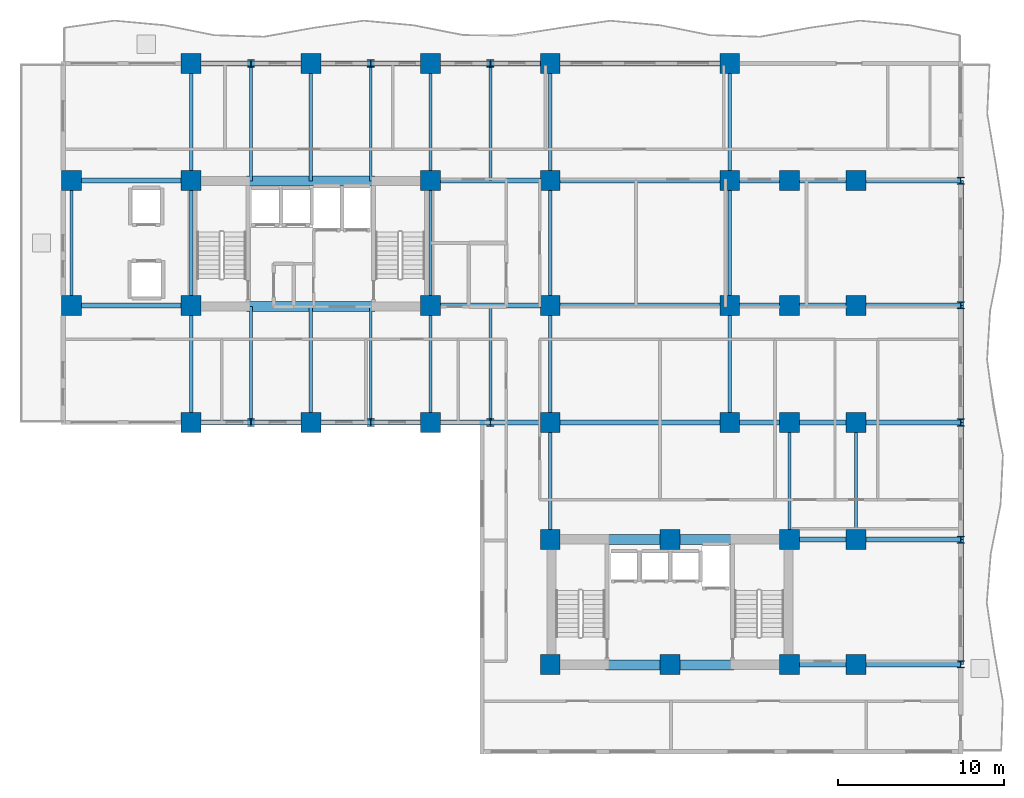
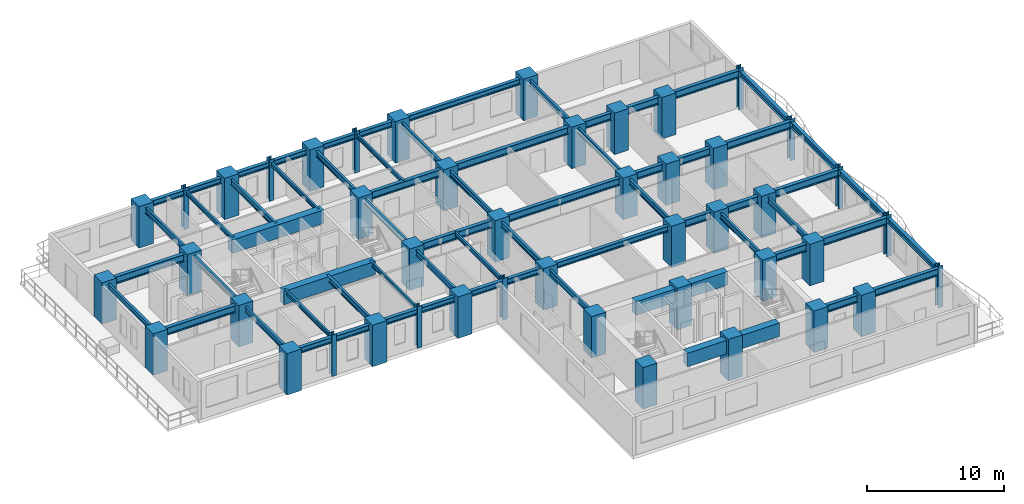
# One storey, part 1 of 11: 65 beams, 45 columns.
"""IFC4 building model written with IfcOpenShell, lengths in metres."""

from ifc_helpers import new_model, si_unit, direction, frame, origin, origin_2d, place, context, subcontext, project, spatial, rectangle, i_section, extrude, source, transform, mapped, material, material_profile, profile_set, type_object, element, save


model = new_model("IFC4")

# Units and contexts
model_context = context("Model", 3, precision=1e-05, world=origin(), true_north=direction((0.0, 1.0)))
body_context = subcontext(model_context, "Body", "Model", "MODEL_VIEW")
ifc_project = project(units=[si_unit("LENGTHUNIT", "METRE"), si_unit("AREAUNIT", "SQUARE_METRE"), si_unit("VOLUMEUNIT", "CUBIC_METRE"), si_unit("PLANEANGLEUNIT", "RADIAN"), si_unit("MASSUNIT", "GRAM", prefix="KILO")], contexts=[model_context])

# Site, building, storey
site_placement = place(None, origin())
site = spatial("IfcSite", under=ifc_project, at=site_placement, CompositionType="ELEMENT")
building_placement = place(site_placement, origin())
building = spatial("IfcBuilding", under=site, at=building_placement, Name="Kaliganga Portal Commons", CompositionType="ELEMENT")
storey_placement = place(building_placement, frame((0.0, 0.0, 78.60009765625)))
storey = spatial("IfcBuildingStorey", under=building, at=storey_placement, Name="L19", CompositionType="ELEMENT", Elevation=78.60009765625)

# Columns
ifc_material_1 = material(Name="Concrete C60/75", Category="concrete")
ifc_material_profile_1 = material_profile(ifc_material_1, rectangle(XDim=1.199951171875, YDim=1.199951171875, at=origin_2d()), Name="RC 1200x1200")
ifc_profile_set_1 = profile_set([ifc_material_profile_1], Name="Concrete C60/75")
column_type_1 = type_object("IfcColumnType", Name="COL-MEGA-Z2", PredefinedType="COLUMN", material=ifc_profile_set_1)
shared_shape_1 = source(origin(), body_context, "Body", "SweptSolid", [
    extrude(rectangle(XDim=1.199951171875, YDim=1.199951171875, at=origin_2d()), origin(), (0.0, 0.0, 1.0), 3.699951171875),
])
for number, where, z_axis, x_axis, name in (
    (1, (7.199951171875, 28.64990234375, 0.0), (0.0, 0.0, 1.0), (1.0, 0.0, 0.0), "Column MC-03 L19"),
    (2, (7.199951171875, 36.14990234375, 0.0), (0.0, 0.0, 1.0), (1.0, 0.0, 0.0), "Column MC-03 L19"),
    (3, (14.39990234375, 21.60009765625, 0.0), (0.0, 0.0, 1.0), (1.0, 0.0, 0.0), "Column MC-03 L19"),
    (4, (14.39990234375, 28.64990234375, 0.0), (0.0, 0.0, 1.0), (1.0, 0.0, 0.0), "Column MC-03 L19"),
    (5, (14.39990234375, 36.14990234375, 0.0), (0.0, 0.0, 1.0), (1.0, 0.0, 0.0), "Column MC-03 L19"),
    (6, (14.39990234375, 43.199951171875, 0.0), (0.0, 0.0, 1.0), (1.0, 0.0, 0.0), "Column MC-03 L19"),
    (7, (21.60009765625, 21.60009765625, 0.0), (0.0, 0.0, 1.0), (1.0, 0.0, 0.0), "Column MC-03 L19"),
    (8, (21.60009765625, 43.199951171875, 0.0), (0.0, 0.0, 1.0), (1.0, 0.0, 0.0), "Column MC-03 L19"),
    (9, (28.800048828125, 21.60009765625, 0.0), (0.0, 0.0, 1.0), (1.0, 0.0, 0.0), "Column MC-03 L19"),
    (10, (28.800048828125, 28.64990234375, 0.0), (0.0, 0.0, 1.0), (1.0, 0.0, 0.0), "Column MC-03 L19"),
    (11, (28.800048828125, 36.14990234375, 0.0), (0.0, 0.0, 1.0), (1.0, 0.0, 0.0), "Column MC-03 L19"),
    (12, (28.800048828125, 43.199951171875, 0.0), (0.0, 0.0, 1.0), (1.0, 0.0, 0.0), "Column MC-03 L19"),
    (13, (36.0, 21.60009765625, 0.0), (0.0, 0.0, 1.0), (1.0, 0.0, 0.0), "Column MC-03 L19"),
    (14, (36.0, 43.199951171875, 0.0), (0.0, 0.0, 1.0), (1.0, 0.0, 0.0), "Column MC-03 L19"),
    (15, (36.0, 28.64990234375, 0.0), (0.0, 0.0, 1.0), (1.0, 0.0, 0.0), "Column MC-03 L19"),
    (16, (36.0, 36.14990234375, 0.0), (0.0, 0.0, 1.0), (1.0, 0.0, 0.0), "Column MC-03 L19"),
    (17, (46.800048828125, 21.60009765625, 0.0), (0.0, 0.0, 1.0), (1.0, 0.0, 0.0), "Column MC-03 L19"),
    (18, (46.800048828125, 28.64990234375, 0.0), (0.0, 0.0, 1.0), (1.0, 0.0, 0.0), "Column MC-03 L19"),
    (19, (46.800048828125, 36.14990234375, 0.0), (0.0, 0.0, 1.0), (1.0, 0.0, 0.0), "Column MC-03 L19"),
    (20, (46.800048828125, 43.199951171875, 0.0), (0.0, 0.0, 1.0), (1.0, 0.0, 0.0), "Column MC-03 L19"),
    (21, (36.0, 7.050048828125, 0.0), (0.0, 0.0, 1.0), (1.0, 0.0, 0.0), "Column MC-03 L19"),
    (22, (36.0, 14.550048828125, 0.0), (0.0, 0.0, 1.0), (1.0, 0.0, 0.0), "Column MC-03 L19"),
    (23, (43.199951171875, 7.050048828125, 0.0), (0.0, 0.0, 1.0), (1.0, 0.0, 0.0), "Column MC-03 L19"),
    (24, (43.199951171875, 14.550048828125, 0.0), (0.0, 0.0, 1.0), (1.0, 0.0, 0.0), "Column MC-03 L19"),
    (25, (50.39990234375, 7.050048828125, 0.0), (0.0, 0.0, 1.0), (1.0, 0.0, 0.0), "Column MC-03 L19"),
    (26, (50.39990234375, 14.550048828125, 0.0), (0.0, 0.0, 1.0), (1.0, 0.0, 0.0), "Column MC-03 L19"),
    (27, (50.39990234375, 21.60009765625, 0.0), (0.0, 0.0, 1.0), (1.0, 0.0, 0.0), "Column MC-03 L19"),
    (28, (50.39990234375, 28.64990234375, 0.0), (0.0, 0.0, 1.0), (1.0, 0.0, 0.0), "Column MC-03 L19"),
    (29, (50.39990234375, 36.14990234375, 0.0), (0.0, 0.0, 1.0), (1.0, 0.0, 0.0), "Column MC-03 L19"),
    (30, (54.39990234375, 7.050048828125, 0.0), (0.0, 0.0, 1.0), (1.0, 0.0, 0.0), "Column MC-03 L19"),
    (31, (54.39990234375, 14.550048828125, 0.0), (0.0, 0.0, 1.0), (1.0, 0.0, 0.0), "Column MC-03 L19"),
    (32, (54.39990234375, 21.60009765625, 0.0), (0.0, 0.0, 1.0), (1.0, 0.0, 0.0), "Column MC-03 L19"),
    (33, (54.39990234375, 28.64990234375, 0.0), (0.0, 0.0, 1.0), (1.0, 0.0, 0.0), "Column MC-03 L19"),
    (34, (54.39990234375, 36.14990234375, 0.0), (0.0, 0.0, 1.0), (1.0, 0.0, 0.0), "Column MC-03 L19"),
):
    element("IfcColumn", number, at=place(storey_placement, frame(where, z_axis=z_axis, x_axis=x_axis)), inside=storey, type_object=column_type_1, Name=name, PredefinedType="COLUMN", context=body_context, shape_type="MappedRepresentation", body=[
        mapped(shared_shape_1, transform((0.0, 0.0, 0.0), x_axis=(1.0, 0.0, 0.0), y_axis=(0.0, 1.0, 0.0), z_axis=(0.0, 0.0, 1.0), scale=1.0)),
    ])
ifc_material_2 = material(Name="Structural steel S460M", Category="steel")
ifc_material_profile_2 = material_profile(ifc_material_2, i_section(OverallWidth=0.408935546875, OverallDepth=0.429931640625, WebThickness=0.0244140625, FlangeThickness=0.033447265625, FilletRadius=0.014892578125, at=origin_2d()), Name="HD 400x421")
ifc_profile_set_2 = profile_set([ifc_material_profile_2], Name="Structural steel S460M wide-flange")
column_type_2 = type_object("IfcColumnType", Name="COL-TUBE-B2", PredefinedType="COLUMN", material=ifc_profile_set_2)
shared_shape_2 = source(origin(), body_context, "Body", "SweptSolid", [
    extrude(i_section(OverallWidth=0.408935546875, OverallDepth=0.429931640625, WebThickness=0.0244140625, FlangeThickness=0.033447265625, FilletRadius=0.014892578125, at=origin_2d()), origin(), (0.0, 0.0, 1.0), 3.699951171875),
])
for number, where, z_axis, x_axis, name in (
    (35, (18.0, 21.60009765625, 0.0), (0.0, 0.0, 1.0), (1.0, 0.0, 0.0), "Column TC-02 L19"),
    (36, (18.0, 43.199951171875, 0.0), (0.0, 0.0, 1.0), (1.0, 0.0, 0.0), "Column TC-02 L19"),
    (37, (25.199951171875, 21.60009765625, 0.0), (0.0, 0.0, 1.0), (1.0, 0.0, 0.0), "Column TC-02 L19"),
    (38, (25.199951171875, 43.199951171875, 0.0), (0.0, 0.0, 1.0), (1.0, 0.0, 0.0), "Column TC-02 L19"),
    (39, (32.39990234375, 21.60009765625, 0.0), (0.0, 0.0, 1.0), (1.0, 0.0, 0.0), "Column TC-02 L19"),
    (40, (32.39990234375, 43.199951171875, 0.0), (0.0, 0.0, 1.0), (1.0, 0.0, 0.0), "Column TC-02 L19"),
    (41, (60.699951171875, 7.050048828125, 0.0), (0.0, 0.0, 1.0), (1.0, 0.0, 0.0), "Column TC-02 L19"),
    (42, (60.699951171875, 14.550048828125, 0.0), (0.0, 0.0, 1.0), (1.0, 0.0, 0.0), "Column TC-02 L19"),
    (43, (60.699951171875, 21.60009765625, 0.0), (0.0, 0.0, 1.0), (1.0, 0.0, 0.0), "Column TC-02 L19"),
    (44, (60.699951171875, 28.64990234375, 0.0), (0.0, 0.0, 1.0), (1.0, 0.0, 0.0), "Column TC-02 L19"),
    (45, (60.699951171875, 36.14990234375, 0.0), (0.0, 0.0, 1.0), (1.0, 0.0, 0.0), "Column TC-02 L19"),
):
    element("IfcColumn", number, at=place(storey_placement, frame(where, z_axis=z_axis, x_axis=x_axis)), inside=storey, type_object=column_type_2, Name=name, PredefinedType="COLUMN", context=body_context, shape_type="MappedRepresentation", body=[
        mapped(shared_shape_2, transform((0.0, 0.0, 0.0), x_axis=(1.0, 0.0, 0.0), y_axis=(0.0, 1.0, 0.0), z_axis=(0.0, 0.0, 1.0), scale=1.0)),
    ])

# Beams
ifc_material_profile_3 = material_profile(ifc_material_1, rectangle(XDim=0.60009765625, YDim=1.199951171875, at=origin_2d()), Name="RC 600x1200")
ifc_profile_set_3 = profile_set([ifc_material_profile_3], Name="Concrete C60/75")
beam_type_1 = type_object("IfcBeamType", Name="BM-CPL-1200", PredefinedType="LINTEL", material=ifc_profile_set_3)
shared_shape_3 = source(origin(), body_context, "Body", "SweptSolid", [
    extrude(rectangle(XDim=0.60009765625, YDim=1.199951171875, at=origin_2d()), origin(), (0.0, 0.0, 1.0), 7.739990234375),
])
for number, where, z_axis, x_axis, name in (
    (46, (17.72998046875, 28.574951171875, 2.849853515625), (1.0, 0.0, 0.0), (0.0, 1.0, 0.0), "BM CPL COREA L19 S"),
    (47, (17.72998046875, 36.125, 2.849853515625), (1.0, 0.0, 0.0), (0.0, 1.0, 0.0), "BM CPL COREA L19 N"),
    (48, (39.330078125, 7.02490234375, 2.849853515625), (1.0, 0.0, 0.0), (0.0, 1.0, 0.0), "BM CPL COREB L19 S"),
    (49, (39.330078125, 14.574951171875, 2.849853515625), (1.0, 0.0, 0.0), (0.0, 1.0, 0.0), "BM CPL COREB L19 N"),
):
    element("IfcBeam", number, at=place(storey_placement, frame(where, z_axis=z_axis, x_axis=x_axis)), inside=storey, type_object=beam_type_1, Name=name, PredefinedType="LINTEL", context=body_context, shape_type="MappedRepresentation", body=[
        mapped(shared_shape_3, transform((0.0, 0.0, 0.0), x_axis=(1.0, 0.0, 0.0), y_axis=(0.0, 1.0, 0.0), z_axis=(0.0, 0.0, 1.0), scale=1.0)),
    ])
ifc_material_3 = material(Name="Structural steel S355J2", Category="steel")
ifc_material_profile_4 = material_profile(ifc_material_3, i_section(OverallWidth=0.300048828125, OverallDepth=0.5, WebThickness=0.014404296875, FlangeThickness=0.028076171875, FilletRadius=0.027099609375, at=origin_2d()), Name="HE 500 B")
ifc_profile_set_4 = profile_set([ifc_material_profile_4], Name="Structural steel S355J2 wide-flange")
beam_type_2 = type_object("IfcBeamType", Name="BM-SPAND-500", PredefinedType="SPANDREL", material=ifc_profile_set_4)
shared_shape_4 = source(origin(), body_context, "Body", "SweptSolid", [
    extrude(i_section(OverallWidth=0.300048828125, OverallDepth=0.5, WebThickness=0.014404296875, FlangeThickness=0.028076171875, FilletRadius=0.027099609375, at=origin_2d()), origin(), (0.0, 0.0, 1.0), 10.800048828125),
])
for number, where, z_axis, x_axis, name in (
    (50, (36.0, 43.199951171875, 3.199951171875), (1.0, 0.0, 0.0), (0.0, 1.0, 0.0), "BM SP L19 AN 7"),
    (51, (36.0, 21.60009765625, 3.199951171875), (1.0, 0.0, 0.0), (0.0, 1.0, 0.0), "BM SP L19 AS 7"),
):
    element("IfcBeam", number, at=place(storey_placement, frame(where, z_axis=z_axis, x_axis=x_axis)), inside=storey, type_object=beam_type_2, Name=name, PredefinedType="SPANDREL", context=body_context, shape_type="MappedRepresentation", body=[
        mapped(shared_shape_4, transform((0.0, 0.0, 0.0), x_axis=(1.0, 0.0, 0.0), y_axis=(0.0, 1.0, 0.0), z_axis=(0.0, 0.0, 1.0), scale=1.0)),
    ])
shared_shape_5 = source(origin(), body_context, "Body", "SweptSolid", [
    extrude(i_section(OverallWidth=0.300048828125, OverallDepth=0.5, WebThickness=0.014404296875, FlangeThickness=0.028076171875, FilletRadius=0.027099609375, at=origin_2d()), origin(), (0.0, 0.0, 1.0), 7.5),
])
for number, where, z_axis, x_axis, name in (
    (52, (60.699951171875, 7.050048828125, 3.199951171875), (0.0, 1.0, 0.0), (-1.0, 0.0, 0.0), "BM SP L19 BE 1"),
    (53, (60.699951171875, 28.64990234375, 3.199951171875), (0.0, 1.0, 0.0), (-1.0, 0.0, 0.0), "BM SP L19 BE 4"),
):
    element("IfcBeam", number, at=place(storey_placement, frame(where, z_axis=z_axis, x_axis=x_axis)), inside=storey, type_object=beam_type_2, Name=name, PredefinedType="SPANDREL", context=body_context, shape_type="MappedRepresentation", body=[
        mapped(shared_shape_5, transform((0.0, 0.0, 0.0), x_axis=(1.0, 0.0, 0.0), y_axis=(0.0, 1.0, 0.0), z_axis=(0.0, 0.0, 1.0), scale=1.0)),
    ])
shared_shape_6 = source(origin(), body_context, "Body", "SweptSolid", [
    extrude(i_section(OverallWidth=0.300048828125, OverallDepth=0.5, WebThickness=0.014404296875, FlangeThickness=0.028076171875, FilletRadius=0.027099609375, at=origin_2d()), origin(), (0.0, 0.0, 1.0), 7.050048828125),
])
beam_1_placement = place(storey_placement, frame((60.699951171875, 14.550048828125, 3.199951171875), z_axis=(0.0, 1.0, 0.0), x_axis=(-1.0, 0.0, 0.0)))
element("IfcBeam", 54, at=beam_1_placement, inside=storey, type_object=beam_type_2, Name="BM SP L19 BE 2", PredefinedType="SPANDREL", context=body_context, shape_type="MappedRepresentation", body=[
    mapped(shared_shape_6, transform((0.0, 0.0, 0.0), x_axis=(1.0, 0.0, 0.0), y_axis=(0.0, 1.0, 0.0), z_axis=(0.0, 0.0, 1.0), scale=1.0)),
])
shared_shape_7 = source(origin(), body_context, "Body", "SweptSolid", [
    extrude(i_section(OverallWidth=0.300048828125, OverallDepth=0.5, WebThickness=0.014404296875, FlangeThickness=0.028076171875, FilletRadius=0.027099609375, at=origin_2d()), origin(), (0.0, 0.0, 1.0), 7.0498046875),
])
beam_2_placement = place(storey_placement, frame((60.699951171875, 21.60009765625, 3.199951171875), z_axis=(0.0, 1.0, 0.0), x_axis=(-1.0, 0.0, 0.0)))
element("IfcBeam", 55, at=beam_2_placement, inside=storey, type_object=beam_type_2, Name="BM SP L19 BE 3", PredefinedType="SPANDREL", context=body_context, shape_type="MappedRepresentation", body=[
    mapped(shared_shape_7, transform((0.0, 0.0, 0.0), x_axis=(1.0, 0.0, 0.0), y_axis=(0.0, 1.0, 0.0), z_axis=(0.0, 0.0, 1.0), scale=1.0)),
])
shared_shape_8 = source(origin(), body_context, "Body", "SweptSolid", [
    extrude(i_section(OverallWidth=0.300048828125, OverallDepth=0.5, WebThickness=0.014404296875, FlangeThickness=0.028076171875, FilletRadius=0.027099609375, at=origin_2d()), origin(), (0.0, 0.0, 1.0), 3.60009765625),
])
for number, where, z_axis, x_axis, name in (
    (56, (14.39990234375, 43.199951171875, 3.199951171875), (1.0, 0.0, 0.0), (0.0, 1.0, 0.0), "BM SP L19 AN 1"),
    (57, (18.0, 43.199951171875, 3.199951171875), (1.0, 0.0, 0.0), (0.0, 1.0, 0.0), "BM SP L19 AN 2"),
    (58, (25.199951171875, 43.199951171875, 3.199951171875), (1.0, 0.0, 0.0), (0.0, 1.0, 0.0), "BM SP L19 AN 4"),
    (59, (32.39990234375, 43.199951171875, 3.199951171875), (1.0, 0.0, 0.0), (0.0, 1.0, 0.0), "BM SP L19 AN 6"),
    (60, (14.39990234375, 21.60009765625, 3.199951171875), (1.0, 0.0, 0.0), (0.0, 1.0, 0.0), "BM SP L19 AS 1"),
    (61, (18.0, 21.60009765625, 3.199951171875), (1.0, 0.0, 0.0), (0.0, 1.0, 0.0), "BM SP L19 AS 2"),
    (62, (25.199951171875, 21.60009765625, 3.199951171875), (1.0, 0.0, 0.0), (0.0, 1.0, 0.0), "BM SP L19 AS 4"),
    (63, (32.39990234375, 21.60009765625, 3.199951171875), (1.0, 0.0, 0.0), (0.0, 1.0, 0.0), "BM SP L19 AS 6"),
):
    element("IfcBeam", number, at=place(storey_placement, frame(where, z_axis=z_axis, x_axis=x_axis)), inside=storey, type_object=beam_type_2, Name=name, PredefinedType="SPANDREL", context=body_context, shape_type="MappedRepresentation", body=[
        mapped(shared_shape_8, transform((0.0, 0.0, 0.0), x_axis=(1.0, 0.0, 0.0), y_axis=(0.0, 1.0, 0.0), z_axis=(0.0, 0.0, 1.0), scale=1.0)),
    ])
shared_shape_9 = source(origin(), body_context, "Body", "SweptSolid", [
    extrude(i_section(OverallWidth=0.300048828125, OverallDepth=0.5, WebThickness=0.014404296875, FlangeThickness=0.028076171875, FilletRadius=0.027099609375, at=origin_2d()), origin(), (0.0, 0.0, 1.0), 3.599853515625),
])
for number, where, z_axis, x_axis, name in (
    (64, (21.60009765625, 43.199951171875, 3.199951171875), (1.0, 0.0, 0.0), (0.0, 1.0, 0.0), "BM SP L19 AN 3"),
    (65, (28.800048828125, 43.199951171875, 3.199951171875), (1.0, 0.0, 0.0), (0.0, 1.0, 0.0), "BM SP L19 AN 5"),
    (66, (21.60009765625, 21.60009765625, 3.199951171875), (1.0, 0.0, 0.0), (0.0, 1.0, 0.0), "BM SP L19 AS 3"),
    (67, (28.800048828125, 21.60009765625, 3.199951171875), (1.0, 0.0, 0.0), (0.0, 1.0, 0.0), "BM SP L19 AS 5"),
):
    element("IfcBeam", number, at=place(storey_placement, frame(where, z_axis=z_axis, x_axis=x_axis)), inside=storey, type_object=beam_type_2, Name=name, PredefinedType="SPANDREL", context=body_context, shape_type="MappedRepresentation", body=[
        mapped(shared_shape_9, transform((0.0, 0.0, 0.0), x_axis=(1.0, 0.0, 0.0), y_axis=(0.0, 1.0, 0.0), z_axis=(0.0, 0.0, 1.0), scale=1.0)),
    ])
ifc_material_profile_5 = material_profile(ifc_material_3, i_section(OverallWidth=0.300048828125, OverallDepth=0.64990234375, WebThickness=0.01611328125, FlangeThickness=0.031005859375, FilletRadius=0.027099609375, at=origin_2d()), Name="HE 650 B")
ifc_profile_set_5 = profile_set([ifc_material_profile_5], Name="Structural steel S355J2 wide-flange")
beam_type_3 = type_object("IfcBeamType", Name="BM-GIRD-650", PredefinedType="USERDEFINED", material=ifc_profile_set_5)
shared_shape_10 = source(origin(), body_context, "Body", "SweptSolid", [
    extrude(i_section(OverallWidth=0.300048828125, OverallDepth=0.64990234375, WebThickness=0.01611328125, FlangeThickness=0.031005859375, FilletRadius=0.027099609375, at=origin_2d()), origin(), (0.0, 0.0, 1.0), 3.599853515625),
])
for number, where, z_axis, x_axis, name in (
    (68, (46.800048828125, 21.60009765625, 3.125), (1.0, 0.0, 0.0), (0.0, 1.0, 0.0), "BM G L19 BKE216 1"),
    (69, (46.800048828125, 28.64990234375, 3.125), (1.0, 0.0, 0.0), (0.0, 1.0, 0.0), "BM G L19 BKE286 1"),
    (70, (46.800048828125, 36.14990234375, 3.125), (1.0, 0.0, 0.0), (0.0, 1.0, 0.0), "BM G L19 BKE362 1"),
):
    element("IfcBeam", number, at=place(storey_placement, frame(where, z_axis=z_axis, x_axis=x_axis)), inside=storey, type_object=beam_type_3, Name=name, ObjectType="GIRDER", PredefinedType="USERDEFINED", context=body_context, shape_type="MappedRepresentation", body=[
        mapped(shared_shape_10, transform((0.0, 0.0, 0.0), x_axis=(1.0, 0.0, 0.0), y_axis=(0.0, 1.0, 0.0), z_axis=(0.0, 0.0, 1.0), scale=1.0)),
    ])
shared_shape_11 = source(origin(), body_context, "Body", "SweptSolid", [
    extrude(i_section(OverallWidth=0.300048828125, OverallDepth=0.64990234375, WebThickness=0.01611328125, FlangeThickness=0.031005859375, FilletRadius=0.027099609375, at=origin_2d()), origin(), (0.0, 0.0, 1.0), 7.199951171875),
])
for number, where, z_axis, x_axis, name in (
    (71, (7.199951171875, 28.64990234375, 3.125), (1.0, 0.0, 0.0), (0.0, 1.0, 0.0), "BM G L19 WAH_S 1"),
    (72, (7.199951171875, 36.14990234375, 3.125), (1.0, 0.0, 0.0), (0.0, 1.0, 0.0), "BM G L19 WAH_N 1"),
    (73, (28.800048828125, 28.64990234375, 3.125), (1.0, 0.0, 0.0), (0.0, 1.0, 0.0), "BM G L19 WAE_S 1"),
    (74, (28.800048828125, 36.14990234375, 3.125), (1.0, 0.0, 0.0), (0.0, 1.0, 0.0), "BM G L19 WAE_N 1"),
):
    element("IfcBeam", number, at=place(storey_placement, frame(where, z_axis=z_axis, x_axis=x_axis)), inside=storey, type_object=beam_type_3, Name=name, ObjectType="GIRDER", PredefinedType="USERDEFINED", context=body_context, shape_type="MappedRepresentation", body=[
        mapped(shared_shape_11, transform((0.0, 0.0, 0.0), x_axis=(1.0, 0.0, 0.0), y_axis=(0.0, 1.0, 0.0), z_axis=(0.0, 0.0, 1.0), scale=1.0)),
    ])
shared_shape_12 = source(origin(), body_context, "Body", "SweptSolid", [
    extrude(i_section(OverallWidth=0.300048828125, OverallDepth=0.64990234375, WebThickness=0.01611328125, FlangeThickness=0.031005859375, FilletRadius=0.027099609375, at=origin_2d()), origin(), (0.0, 0.0, 1.0), 10.800048828125),
])
for number, where, z_axis, x_axis, name in (
    (75, (36.0, 28.64990234375, 3.125), (1.0, 0.0, 0.0), (0.0, 1.0, 0.0), "BM G L19 WAE_S 2"),
    (76, (36.0, 36.14990234375, 3.125), (1.0, 0.0, 0.0), (0.0, 1.0, 0.0), "BM G L19 WAE_N 2"),
):
    element("IfcBeam", number, at=place(storey_placement, frame(where, z_axis=z_axis, x_axis=x_axis)), inside=storey, type_object=beam_type_3, Name=name, ObjectType="GIRDER", PredefinedType="USERDEFINED", context=body_context, shape_type="MappedRepresentation", body=[
        mapped(shared_shape_12, transform((0.0, 0.0, 0.0), x_axis=(1.0, 0.0, 0.0), y_axis=(0.0, 1.0, 0.0), z_axis=(0.0, 0.0, 1.0), scale=1.0)),
    ])
ifc_material_profile_6 = material_profile(ifc_material_3, i_section(OverallWidth=0.169921875, OverallDepth=0.360107421875, WebThickness=0.008056640625, FlangeThickness=0.0126953125, FilletRadius=0.01806640625, at=origin_2d()), Name="IPE 360")
ifc_profile_set_6 = profile_set([ifc_material_profile_6], Name="Structural steel S355J2 wide-flange")
beam_type_4 = type_object("IfcBeamType", Name="BM-JST-360", PredefinedType="JOIST", material=ifc_profile_set_6)
shared_shape_13 = source(origin(), body_context, "Body", "SweptSolid", [
    extrude(i_section(OverallWidth=0.169921875, OverallDepth=0.360107421875, WebThickness=0.008056640625, FlangeThickness=0.0126953125, FilletRadius=0.01806640625, at=origin_2d()), origin(), (0.0, 0.0, 1.0), 7.074951171875),
])
for number, where, z_axis, x_axis, name in (
    (77, (18.0, 36.125, 3.27001953125), (0.0, 1.0, 0.0), (-1.0, 0.0, 0.0), "BM G L19 AN180"),
    (78, (25.199951171875, 36.125, 3.27001953125), (0.0, 1.0, 0.0), (-1.0, 0.0, 0.0), "BM G L19 AN252"),
):
    element("IfcBeam", number, at=place(storey_placement, frame(where, z_axis=z_axis, x_axis=x_axis)), inside=storey, type_object=beam_type_4, Name=name, PredefinedType="JOIST", context=body_context, shape_type="MappedRepresentation", body=[
        mapped(shared_shape_13, transform((0.0, 0.0, 0.0), x_axis=(1.0, 0.0, 0.0), y_axis=(0.0, 1.0, 0.0), z_axis=(0.0, 0.0, 1.0), scale=1.0)),
    ])
shared_shape_14 = source(origin(), body_context, "Body", "SweptSolid", [
    extrude(i_section(OverallWidth=0.169921875, OverallDepth=0.360107421875, WebThickness=0.008056640625, FlangeThickness=0.0126953125, FilletRadius=0.01806640625, at=origin_2d()), origin(), (0.0, 0.0, 1.0), 6.974853515625),
])
for number, where, z_axis, x_axis, name in (
    (79, (18.0, 21.60009765625, 3.27001953125), (0.0, 1.0, 0.0), (-1.0, 0.0, 0.0), "BM G L19 AS180"),
    (80, (25.199951171875, 21.60009765625, 3.27001953125), (0.0, 1.0, 0.0), (-1.0, 0.0, 0.0), "BM G L19 AS252"),
):
    element("IfcBeam", number, at=place(storey_placement, frame(where, z_axis=z_axis, x_axis=x_axis)), inside=storey, type_object=beam_type_4, Name=name, PredefinedType="JOIST", context=body_context, shape_type="MappedRepresentation", body=[
        mapped(shared_shape_14, transform((0.0, 0.0, 0.0), x_axis=(1.0, 0.0, 0.0), y_axis=(0.0, 1.0, 0.0), z_axis=(0.0, 0.0, 1.0), scale=1.0)),
    ])
shared_shape_15 = source(origin(), body_context, "Body", "SweptSolid", [
    extrude(i_section(OverallWidth=0.169921875, OverallDepth=0.360107421875, WebThickness=0.008056640625, FlangeThickness=0.0126953125, FilletRadius=0.01806640625, at=origin_2d()), origin(), (0.0, 0.0, 1.0), 7.050048828125),
])
beam_3_placement = place(storey_placement, frame((32.39990234375, 36.14990234375, 3.27001953125), z_axis=(0.0, 1.0, 0.0), x_axis=(-1.0, 0.0, 0.0)))
element("IfcBeam", 81, at=beam_3_placement, inside=storey, type_object=beam_type_4, Name="BM G L19 AN324", PredefinedType="JOIST", context=body_context, shape_type="MappedRepresentation", body=[
    mapped(shared_shape_15, transform((0.0, 0.0, 0.0), x_axis=(1.0, 0.0, 0.0), y_axis=(0.0, 1.0, 0.0), z_axis=(0.0, 0.0, 1.0), scale=1.0)),
])
shared_shape_16 = source(origin(), body_context, "Body", "SweptSolid", [
    extrude(i_section(OverallWidth=0.169921875, OverallDepth=0.360107421875, WebThickness=0.008056640625, FlangeThickness=0.0126953125, FilletRadius=0.01806640625, at=origin_2d()), origin(), (0.0, 0.0, 1.0), 7.0498046875),
])
beam_4_placement = place(storey_placement, frame((32.39990234375, 21.60009765625, 3.27001953125), z_axis=(0.0, 1.0, 0.0), x_axis=(-1.0, 0.0, 0.0)))
element("IfcBeam", 82, at=beam_4_placement, inside=storey, type_object=beam_type_4, Name="BM G L19 AS324", PredefinedType="JOIST", context=body_context, shape_type="MappedRepresentation", body=[
    mapped(shared_shape_16, transform((0.0, 0.0, 0.0), x_axis=(1.0, 0.0, 0.0), y_axis=(0.0, 1.0, 0.0), z_axis=(0.0, 0.0, 1.0), scale=1.0)),
])
shared_shape_17 = source(origin(), body_context, "Body", "SweptSolid", [
    extrude(i_section(OverallWidth=0.300048828125, OverallDepth=0.64990234375, WebThickness=0.01611328125, FlangeThickness=0.031005859375, FilletRadius=0.027099609375, at=origin_2d()), origin(), (0.0, 0.0, 1.0), 4.0),
])
for number, where, z_axis, x_axis, name in (
    (83, (50.39990234375, 7.050048828125, 3.125), (1.0, 0.0, 0.0), (0.0, 1.0, 0.0), "BM G L19 BKE70 1"),
    (84, (50.39990234375, 14.550048828125, 3.125), (1.0, 0.0, 0.0), (0.0, 1.0, 0.0), "BM G L19 BKE146 1"),
    (85, (50.39990234375, 21.60009765625, 3.125), (1.0, 0.0, 0.0), (0.0, 1.0, 0.0), "BM G L19 BKE216 2"),
    (86, (50.39990234375, 28.64990234375, 3.125), (1.0, 0.0, 0.0), (0.0, 1.0, 0.0), "BM G L19 BKE286 2"),
    (87, (50.39990234375, 36.14990234375, 3.125), (1.0, 0.0, 0.0), (0.0, 1.0, 0.0), "BM G L19 BKE362 2"),
):
    element("IfcBeam", number, at=place(storey_placement, frame(where, z_axis=z_axis, x_axis=x_axis)), inside=storey, type_object=beam_type_3, Name=name, ObjectType="GIRDER", PredefinedType="USERDEFINED", context=body_context, shape_type="MappedRepresentation", body=[
        mapped(shared_shape_17, transform((0.0, 0.0, 0.0), x_axis=(1.0, 0.0, 0.0), y_axis=(0.0, 1.0, 0.0), z_axis=(0.0, 0.0, 1.0), scale=1.0)),
    ])
ifc_material_profile_7 = material_profile(ifc_material_3, i_section(OverallWidth=0.199951171875, OverallDepth=0.5, WebThickness=0.01025390625, FlangeThickness=0.01611328125, FilletRadius=0.02099609375, at=origin_2d()), Name="IPE 500")
ifc_profile_set_7 = profile_set([ifc_material_profile_7], Name="Structural steel S355J2 wide-flange")
beam_type_5 = type_object("IfcBeamType", Name="BM-FLR-500", PredefinedType="BEAM", material=ifc_profile_set_7)
shared_shape_18 = source(origin(), body_context, "Body", "SweptSolid", [
    extrude(i_section(OverallWidth=0.199951171875, OverallDepth=0.5, WebThickness=0.01025390625, FlangeThickness=0.01611328125, FilletRadius=0.02099609375, at=origin_2d()), origin(), (0.0, 0.0, 1.0), 7.5),
])
for number, where, z_axis, x_axis, name in (
    (88, (7.199951171875, 28.64990234375, 3.199951171875), (0.0, 1.0, 0.0), (-1.0, 0.0, 0.0), "BM G L19 AW72"),
    (89, (14.39990234375, 28.64990234375, 3.199951171875), (0.0, 1.0, 0.0), (-1.0, 0.0, 0.0), "BM G L19 AM144"),
    (90, (28.800048828125, 28.64990234375, 3.199951171875), (0.0, 1.0, 0.0), (-1.0, 0.0, 0.0), "BM G L19 AM288"),
    (91, (36.0, 28.64990234375, 3.199951171875), (0.0, 1.0, 0.0), (-1.0, 0.0, 0.0), "BM G L19 AM360"),
    (92, (46.800048828125, 28.64990234375, 3.199951171875), (0.0, 1.0, 0.0), (-1.0, 0.0, 0.0), "BM G L19 AM468"),
):
    element("IfcBeam", number, at=place(storey_placement, frame(where, z_axis=z_axis, x_axis=x_axis)), inside=storey, type_object=beam_type_5, Name=name, PredefinedType="BEAM", context=body_context, shape_type="MappedRepresentation", body=[
        mapped(shared_shape_18, transform((0.0, 0.0, 0.0), x_axis=(1.0, 0.0, 0.0), y_axis=(0.0, 1.0, 0.0), z_axis=(0.0, 0.0, 1.0), scale=1.0)),
    ])
shared_shape_19 = source(origin(), body_context, "Body", "SweptSolid", [
    extrude(i_section(OverallWidth=0.199951171875, OverallDepth=0.5, WebThickness=0.01025390625, FlangeThickness=0.01611328125, FilletRadius=0.02099609375, at=origin_2d()), origin(), (0.0, 0.0, 1.0), 7.050048828125),
])
for number, where, z_axis, x_axis, name in (
    (93, (14.39990234375, 36.14990234375, 3.199951171875), (0.0, 1.0, 0.0), (-1.0, 0.0, 0.0), "BM G L19 AN144"),
    (94, (28.800048828125, 36.14990234375, 3.199951171875), (0.0, 1.0, 0.0), (-1.0, 0.0, 0.0), "BM G L19 AN288"),
    (95, (36.0, 36.14990234375, 3.199951171875), (0.0, 1.0, 0.0), (-1.0, 0.0, 0.0), "BM G L19 AN360"),
    (96, (46.800048828125, 36.14990234375, 3.199951171875), (0.0, 1.0, 0.0), (-1.0, 0.0, 0.0), "BM G L19 AN468"),
    (97, (36.0, 14.550048828125, 3.199951171875), (0.0, 1.0, 0.0), (-1.0, 0.0, 0.0), "BM G L19 BNK360"),
    (98, (50.39990234375, 14.550048828125, 3.199951171875), (0.0, 1.0, 0.0), (-1.0, 0.0, 0.0), "BM G L19 BNK504"),
    (99, (54.39990234375, 14.550048828125, 3.199951171875), (0.0, 1.0, 0.0), (-1.0, 0.0, 0.0), "BM G L19 BNK544"),
):
    element("IfcBeam", number, at=place(storey_placement, frame(where, z_axis=z_axis, x_axis=x_axis)), inside=storey, type_object=beam_type_5, Name=name, PredefinedType="BEAM", context=body_context, shape_type="MappedRepresentation", body=[
        mapped(shared_shape_19, transform((0.0, 0.0, 0.0), x_axis=(1.0, 0.0, 0.0), y_axis=(0.0, 1.0, 0.0), z_axis=(0.0, 0.0, 1.0), scale=1.0)),
    ])
shared_shape_20 = source(origin(), body_context, "Body", "SweptSolid", [
    extrude(i_section(OverallWidth=0.199951171875, OverallDepth=0.5, WebThickness=0.01025390625, FlangeThickness=0.01611328125, FilletRadius=0.02099609375, at=origin_2d()), origin(), (0.0, 0.0, 1.0), 7.0498046875),
])
for number, where, z_axis, x_axis, name in (
    (100, (14.39990234375, 21.60009765625, 3.199951171875), (0.0, 1.0, 0.0), (-1.0, 0.0, 0.0), "BM G L19 AS144"),
    (101, (28.800048828125, 21.60009765625, 3.199951171875), (0.0, 1.0, 0.0), (-1.0, 0.0, 0.0), "BM G L19 AS288"),
    (102, (36.0, 21.60009765625, 3.199951171875), (0.0, 1.0, 0.0), (-1.0, 0.0, 0.0), "BM G L19 AS360"),
    (103, (46.800048828125, 21.60009765625, 3.199951171875), (0.0, 1.0, 0.0), (-1.0, 0.0, 0.0), "BM G L19 AS468"),
):
    element("IfcBeam", number, at=place(storey_placement, frame(where, z_axis=z_axis, x_axis=x_axis)), inside=storey, type_object=beam_type_5, Name=name, PredefinedType="BEAM", context=body_context, shape_type="MappedRepresentation", body=[
        mapped(shared_shape_20, transform((0.0, 0.0, 0.0), x_axis=(1.0, 0.0, 0.0), y_axis=(0.0, 1.0, 0.0), z_axis=(0.0, 0.0, 1.0), scale=1.0)),
    ])
shared_shape_21 = source(origin(), body_context, "Body", "SweptSolid", [
    extrude(i_section(OverallWidth=0.199951171875, OverallDepth=0.5, WebThickness=0.01025390625, FlangeThickness=0.01611328125, FilletRadius=0.02099609375, at=origin_2d()), origin(), (0.0, 0.0, 1.0), 7.074951171875),
])
beam_5_placement = place(storey_placement, frame((21.60009765625, 36.125, 3.199951171875), z_axis=(0.0, 1.0, 0.0), x_axis=(-1.0, 0.0, 0.0)))
element("IfcBeam", 104, at=beam_5_placement, inside=storey, type_object=beam_type_5, Name="BM G L19 AN216", PredefinedType="BEAM", context=body_context, shape_type="MappedRepresentation", body=[
    mapped(shared_shape_21, transform((0.0, 0.0, 0.0), x_axis=(1.0, 0.0, 0.0), y_axis=(0.0, 1.0, 0.0), z_axis=(0.0, 0.0, 1.0), scale=1.0)),
])
shared_shape_22 = source(origin(), body_context, "Body", "SweptSolid", [
    extrude(i_section(OverallWidth=0.199951171875, OverallDepth=0.5, WebThickness=0.01025390625, FlangeThickness=0.01611328125, FilletRadius=0.02099609375, at=origin_2d()), origin(), (0.0, 0.0, 1.0), 6.974853515625),
])
beam_6_placement = place(storey_placement, frame((21.60009765625, 21.60009765625, 3.199951171875), z_axis=(0.0, 1.0, 0.0), x_axis=(-1.0, 0.0, 0.0)))
element("IfcBeam", 105, at=beam_6_placement, inside=storey, type_object=beam_type_5, Name="BM G L19 AS216", PredefinedType="BEAM", context=body_context, shape_type="MappedRepresentation", body=[
    mapped(shared_shape_22, transform((0.0, 0.0, 0.0), x_axis=(1.0, 0.0, 0.0), y_axis=(0.0, 1.0, 0.0), z_axis=(0.0, 0.0, 1.0), scale=1.0)),
])
shared_shape_23 = source(origin(), body_context, "Body", "SweptSolid", [
    extrude(i_section(OverallWidth=0.300048828125, OverallDepth=0.64990234375, WebThickness=0.01611328125, FlangeThickness=0.031005859375, FilletRadius=0.027099609375, at=origin_2d()), origin(), (0.0, 0.0, 1.0), 6.300048828125),
])
for number, where, z_axis, x_axis, name in (
    (106, (54.39990234375, 7.050048828125, 3.125), (1.0, 0.0, 0.0), (0.0, 1.0, 0.0), "BM G L19 BKE70 2"),
    (107, (54.39990234375, 14.550048828125, 3.125), (1.0, 0.0, 0.0), (0.0, 1.0, 0.0), "BM G L19 BKE146 2"),
    (108, (54.39990234375, 21.60009765625, 3.125), (1.0, 0.0, 0.0), (0.0, 1.0, 0.0), "BM G L19 BKE216 3"),
    (109, (54.39990234375, 28.64990234375, 3.125), (1.0, 0.0, 0.0), (0.0, 1.0, 0.0), "BM G L19 BKE286 3"),
    (110, (54.39990234375, 36.14990234375, 3.125), (1.0, 0.0, 0.0), (0.0, 1.0, 0.0), "BM G L19 BKE362 3"),
):
    element("IfcBeam", number, at=place(storey_placement, frame(where, z_axis=z_axis, x_axis=x_axis)), inside=storey, type_object=beam_type_3, Name=name, ObjectType="GIRDER", PredefinedType="USERDEFINED", context=body_context, shape_type="MappedRepresentation", body=[
        mapped(shared_shape_23, transform((0.0, 0.0, 0.0), x_axis=(1.0, 0.0, 0.0), y_axis=(0.0, 1.0, 0.0), z_axis=(0.0, 0.0, 1.0), scale=1.0)),
    ])

save(model, "model.ifc")
